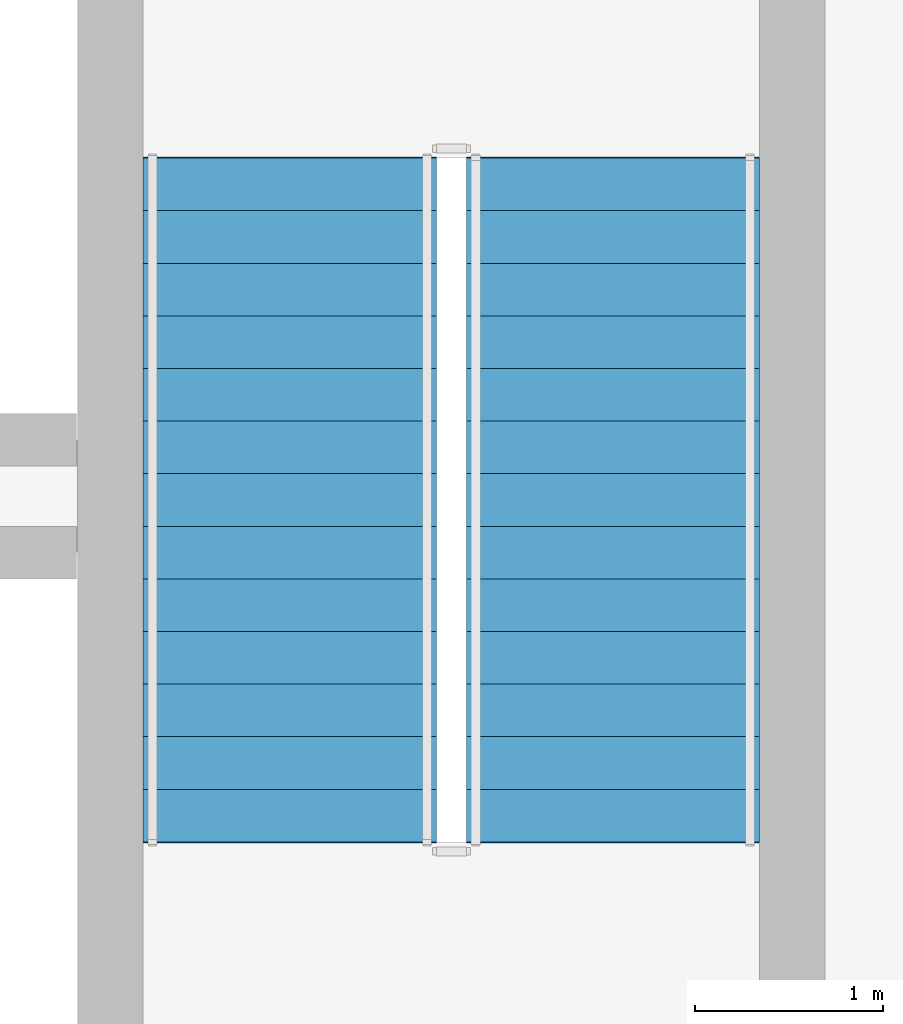
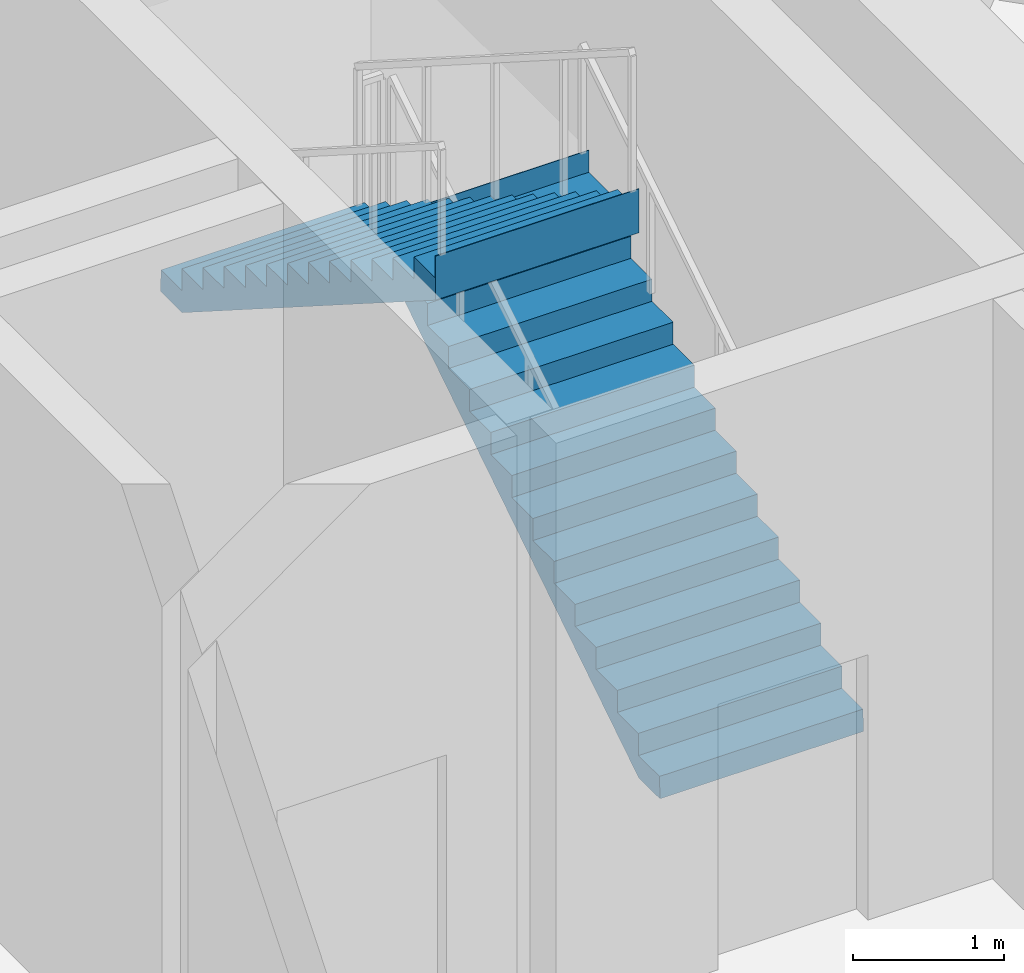
# One storey, part 33 of 36: 2 stair flights, 1 element without a shape of its own.
"""IFC4 building model written with IfcOpenShell, lengths in metres."""

from ifc_helpers import new_model, si_unit, direction, frame, origin, place, context, subcontext, project, spatial, polyline, outline, extrude, material, type_object, element, aggregate, save


model = new_model("IFC4")

# Units and contexts
model_context = context("Model", 3, precision=1e-05, world=origin(), true_north=direction((0.0, 1.0)))
body_context = subcontext(model_context, "Body", "Model", "MODEL_VIEW")
ifc_project = project(units=[si_unit("LENGTHUNIT", "METRE"), si_unit("AREAUNIT", "SQUARE_METRE"), si_unit("VOLUMEUNIT", "CUBIC_METRE"), si_unit("PLANEANGLEUNIT", "RADIAN"), si_unit("MASSUNIT", "GRAM", prefix="KILO")], contexts=[model_context])

# Site, building, storey
site_placement = place(None, origin())
site = spatial("IfcSite", under=ifc_project, at=site_placement, CompositionType="ELEMENT")
building_placement = place(site_placement, origin())
building = spatial("IfcBuilding", under=site, at=building_placement, Name="Kaelvorn Grand Hotel", CompositionType="ELEMENT")
storey_placement = place(building_placement, frame((0.0, 0.0, 305.699951171875)))
storey = spatial("IfcBuildingStorey", under=building, at=storey_placement, Name="L74", CompositionType="ELEMENT", Elevation=305.699951171875)

# Stair, stair flights
ifc_material = material(Name="Concrete C40/50", Category="concrete")
stair_type = type_object("IfcStairType", Name="STR-DOG-1560-R12", PredefinedType="HALF_TURN_STAIR", material=ifc_material)
stair_placement = place(storey_placement, origin())
stair = element("IfcStair", 1, at=stair_placement, inside=storey, type_object=stair_type, Name="L74 East Core Exit Stair ST3", PredefinedType="HALF_TURN_STAIR")
stair_flight_type = type_object("IfcStairFlightType", Name="FLG-DOG-1560-R12", PredefinedType="STRAIGHT", material=ifc_material)
stair_flight_1_placement = place(storey_placement, frame((65.820068359375, 41.760009765625, 0.0), z_axis=(0.0, 0.0, 1.0), x_axis=(0.0, 1.0, 0.0)))
stair_flight_1 = element("IfcStairFlight", 2, at=stair_flight_1_placement, type_object=stair_flight_type, Name="ST3 flight 1", NumberOfRisers=14, NumberOfTreads=13, PredefinedType="STRAIGHT", RiserHeight=0.178571429, TreadLength=0.28, context=body_context, shape_type="SweptSolid", body=[
    extrude(outline(polyline([(-0.0048828125, 0.0), (-0.0048828125, 0.0400390625), (0.0, 0.178466796875), (0.280029296875, 0.178466796875), (0.280029296875, 0.357177734375), (0.56005859375, 0.357177734375), (0.56005859375, 0.53564453125), (0.840087890625, 0.53564453125), (0.840087890625, 0.71435546875), (1.1201171875, 0.71435546875), (1.1201171875, 0.892822265625), (1.39990234375, 0.892822265625), (1.39990234375, 1.071533203125), (1.679931640625, 1.071533203125), (1.679931640625, 1.25), (1.9599609375, 1.25), (1.9599609375, 1.428466796875), (2.239990234375, 1.428466796875), (2.239990234375, 1.607177734375), (2.52001953125, 1.607177734375), (2.52001953125, 1.78564453125), (2.800048828125, 1.78564453125), (2.800048828125, 1.96435546875), (3.080078125, 1.96435546875), (3.080078125, 2.142822265625), (3.360107421875, 2.142822265625), (3.360107421875, 2.321533203125), (3.639892578125, 2.321533203125), (3.639892578125, 2.5), (3.64501953125, 2.5), (3.64501953125, 2.1435546875), (0.27880859375, 0.0), (-0.0048828125, 0.0)])), frame((0.0, 0.780029296875, 0.0), z_axis=(0.0, -1.0, 0.0), x_axis=(1.0, 0.0, 0.0)), (0.0, 0.0, 1.0), 1.56005859375),
])
stair_flight_2_placement = place(storey_placement, frame((64.10009765625, 45.39990234375, 2.5), z_axis=(0.0, 0.0, 1.0), x_axis=(0.0, -1.0, 0.0)))
stair_flight_2 = element("IfcStairFlight", 3, at=stair_flight_2_placement, type_object=stair_flight_type, Name="ST3 flight 2", NumberOfRisers=14, NumberOfTreads=13, PredefinedType="STRAIGHT", RiserHeight=0.178571429, TreadLength=0.28, context=body_context, shape_type="SweptSolid", body=[
    extrude(outline(polyline([(-0.0048828125, 0.0), (-0.0048828125, 0.0400390625), (0.0, 0.178466796875), (0.280029296875, 0.178466796875), (0.280029296875, 0.357177734375), (0.56005859375, 0.357177734375), (0.56005859375, 0.53564453125), (0.840087890625, 0.53564453125), (0.840087890625, 0.71435546875), (1.1201171875, 0.71435546875), (1.1201171875, 0.892822265625), (1.39990234375, 0.892822265625), (1.39990234375, 1.071533203125), (1.679931640625, 1.071533203125), (1.679931640625, 1.25), (1.9599609375, 1.25), (1.9599609375, 1.428466796875), (2.239990234375, 1.428466796875), (2.239990234375, 1.607177734375), (2.52001953125, 1.607177734375), (2.52001953125, 1.78564453125), (2.800048828125, 1.78564453125), (2.800048828125, 1.96435546875), (3.080078125, 1.96435546875), (3.080078125, 2.142822265625), (3.360107421875, 2.142822265625), (3.360107421875, 2.321533203125), (3.639892578125, 2.321533203125), (3.639892578125, 2.5), (3.64501953125, 2.5), (3.64501953125, 2.1435546875), (0.27880859375, 0.0), (-0.0048828125, 0.0)])), frame((0.0, 0.780029296875, 0.0), z_axis=(0.0, -1.0, 0.0), x_axis=(1.0, 0.0, 0.0)), (0.0, 0.0, 1.0), 1.56005859375),
])
aggregate(stair, [stair_flight_1, stair_flight_2])

save(model, "model.ifc")
